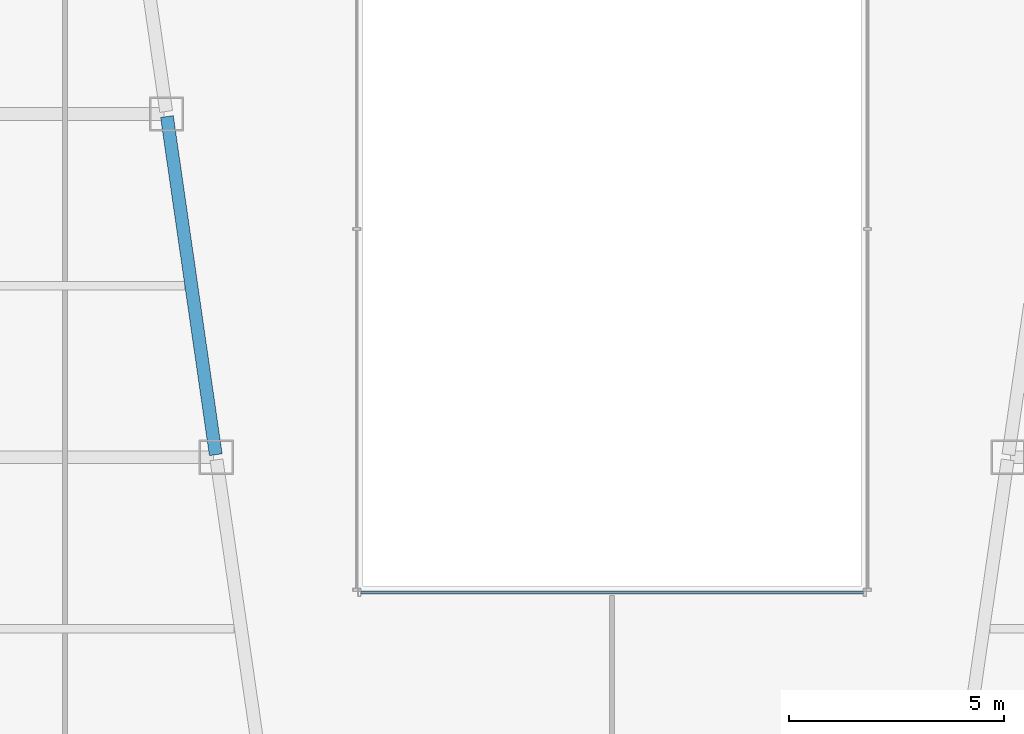
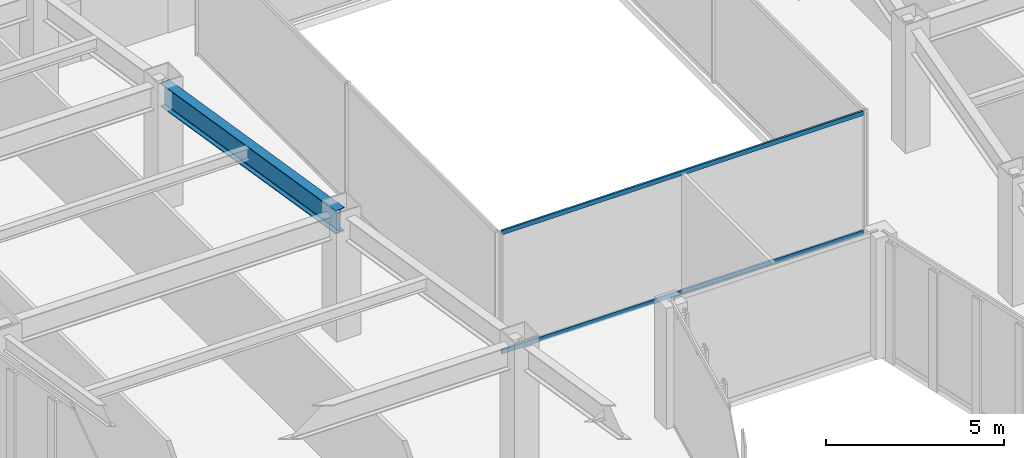
# One storey, part 13 of 47: 2 members, 1 beam, 1 element without a shape of its own.
"""IFC4 building model written with IfcOpenShell, lengths in metres."""

from ifc_helpers import new_model, si_unit, direction, frame, origin, origin_2d, place, context, subcontext, project, spatial, hollow_rectangle, i_section, extrude, material, material_profile, profile_set, type_object, element, aggregate, save


model = new_model("IFC4")

# Units and contexts
model_context = context("Model", 3, precision=1e-05, world=origin(), true_north=direction((0.0, 1.0)))
body_context = subcontext(model_context, "Body", "Model", "MODEL_VIEW")
ifc_project = project(units=[si_unit("LENGTHUNIT", "METRE"), si_unit("AREAUNIT", "SQUARE_METRE"), si_unit("VOLUMEUNIT", "CUBIC_METRE"), si_unit("PLANEANGLEUNIT", "RADIAN"), si_unit("MASSUNIT", "GRAM", prefix="KILO")], contexts=[model_context])

# Site, building, storey
site_placement = place(None, origin())
site = spatial("IfcSite", under=ifc_project, at=site_placement, CompositionType="ELEMENT")
building_placement = place(site_placement, origin())
building = spatial("IfcBuilding", under=site, at=building_placement, Name="Saevonmaru Cultural Tower", CompositionType="ELEMENT")
storey_placement = place(building_placement, frame((0.0, 0.0, 92.800048828125)))
storey = spatial("IfcBuildingStorey", under=building, at=storey_placement, Name="L19", CompositionType="ELEMENT", Elevation=92.800048828125)

# Beam
ifc_material_1 = material(Name="Steel SM420", Category="steel")
ifc_material_profile_1 = material_profile(ifc_material_1, i_section(OverallWidth=0.300048828125, OverallDepth=0.800048828125, WebThickness=0.013916015625, FlangeThickness=0.02587890625, FilletRadius=0.028076171875, at=origin_2d()), Name="H-800x300x14x26")
ifc_profile_set_1 = profile_set([ifc_material_profile_1], Name="Steel SM420")
beam_type = type_object("IfcBeamType", Name="BM-G-H800", PredefinedType="BEAM", material=ifc_profile_set_1)
beam_placement = place(storey_placement, frame((20.763427734375, 24.059326171875, 3.75), z_axis=(-0.142902032203, 0.989736838353, 0.0), x_axis=(-0.989736838353, -0.142902032203, 0.0)))
element("IfcBeam", 1, at=beam_placement, inside=storey, type_object=beam_type, Name="L19 West Atrium Girder 4", PredefinedType="BEAM", context=body_context, shape_type="SweptSolid", body=[
    extrude(i_section(OverallWidth=0.300048828125, OverallDepth=0.800048828125, WebThickness=0.013916015625, FlangeThickness=0.02587890625, FilletRadius=0.028076171875, at=origin_2d()), origin(), (0.0, 0.0, 1.0), 7.963134765625),
])

# Curtain wall, members
ifc_material_2 = material(Name="Satin Bronze Anodised Aluminium", Category="aluminium")
curtain_wall_type = type_object("IfcCurtainWallType", Name="CW-ATR-GLZ", PredefinedType="NOTDEFINED", material=ifc_material_2)
curtain_wall_placement = place(storey_placement, origin())
curtain_wall = element("IfcCurtainWall", 2, at=curtain_wall_placement, inside=storey, type_object=curtain_wall_type, Name="L19 Vertical Atrium Glazed Smoke Screen 1", PredefinedType="NOTDEFINED")
ifc_material_profile_2 = material_profile(ifc_material_2, hollow_rectangle(XDim=0.06494140625, YDim=0.14990234375, WallThickness=0.00390625, at=origin_2d()), Name="ALU-TRAN-150x65x4")
ifc_profile_set_2 = profile_set([ifc_material_profile_2], Name="Satin Bronze Anodised Aluminium")
member_type = type_object("IfcMemberType", Name="TR-CW-INT-150x65", PredefinedType="USERDEFINED", material=ifc_profile_set_2)
member_1_placement = place(storey_placement, frame((24.142578125, 20.85009765625, 0.032470703125), z_axis=(1.0, 0.0, 0.0), x_axis=(0.0, 1.0, 0.0)))
member_1 = element("IfcMember", 3, at=member_1_placement, type_object=member_type, Name="CW-ATR-L19-1 transom 1.1", ObjectType="TRANSOM", PredefinedType="USERDEFINED", context=body_context, shape_type="SweptSolid", body=[
    extrude(hollow_rectangle(XDim=0.06494140625, YDim=0.14990234375, WallThickness=0.00390625, at=origin_2d()), origin(), (0.0, 0.0, 1.0), 11.71484375),
])
member_2_placement = place(storey_placement, frame((24.142578125, 20.85009765625, 4.117431640625), z_axis=(1.0, 0.0, 0.0), x_axis=(0.0, 1.0, 0.0)))
member_2 = element("IfcMember", 4, at=member_2_placement, type_object=member_type, Name="CW-ATR-L19-1 transom 1.2", ObjectType="TRANSOM", PredefinedType="USERDEFINED", context=body_context, shape_type="SweptSolid", body=[
    extrude(hollow_rectangle(XDim=0.06494140625, YDim=0.14990234375, WallThickness=0.00390625, at=origin_2d()), origin(), (0.0, 0.0, 1.0), 11.71484375),
])
aggregate(curtain_wall, [member_1, member_2])

save(model, "model.ifc")
